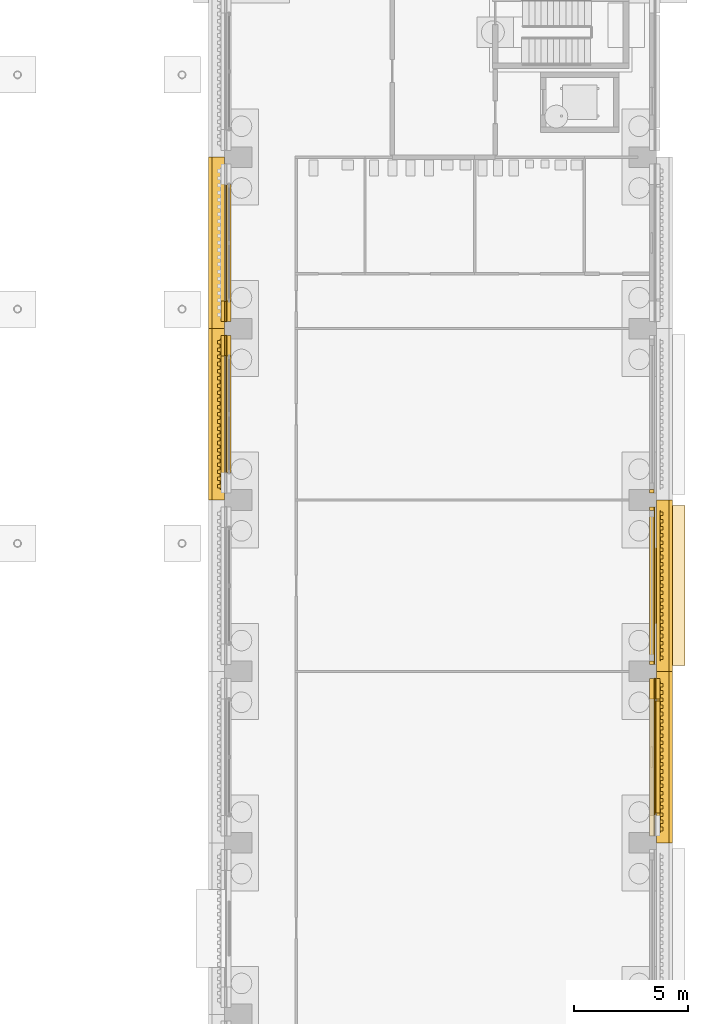
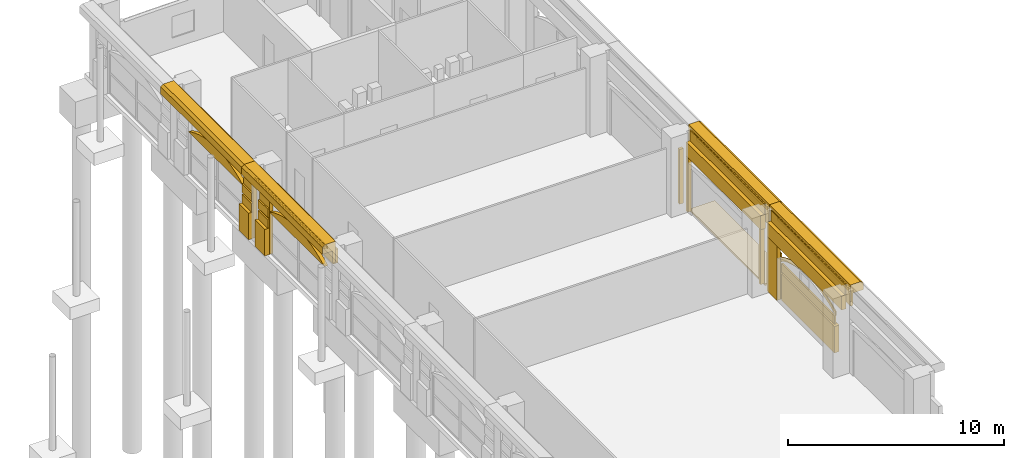
# One storey, part 88 of 99: 32 coverings.
"""IFC4 building model written with IfcOpenShell, lengths in metres."""

from ifc_helpers import new_model, si_unit, direction, frame, origin, place, context, subcontext, project, spatial, polyline, outline, extrude, material, layer, layer_set, type_object, element, save


model = new_model("IFC4")

# Units and contexts
model_context = context("Model", 3, precision=1e-05, world=origin(), true_north=direction((0.0, 1.0)))
body_context = subcontext(model_context, "Body", "Model", "MODEL_VIEW")
ifc_project = project(units=[si_unit("LENGTHUNIT", "METRE"), si_unit("AREAUNIT", "SQUARE_METRE"), si_unit("VOLUMEUNIT", "CUBIC_METRE"), si_unit("PLANEANGLEUNIT", "RADIAN"), si_unit("MASSUNIT", "GRAM", prefix="KILO")], contexts=[model_context])

# Site, building, storey
site_placement = place(None, origin())
site = spatial("IfcSite", under=ifc_project, at=site_placement, CompositionType="ELEMENT")
building_placement = place(site_placement, origin())
building = spatial("IfcBuilding", under=site, at=building_placement, Name="Cour d'Honneur Mobility Palace", CompositionType="ELEMENT")
storey_placement = place(building_placement, origin())
storey = spatial("IfcBuildingStorey", under=building, at=storey_placement, Name="L00", CompositionType="ELEMENT", Elevation=0.0)

# Coverings
ifc_material_1 = material(Name="Cast limestone", Category="masonry")
ifc_layer_1 = layer(ifc_material_1, 0.050048828125)
ifc_layer_set_1 = layer_set([ifc_layer_1], Name="Cast limestone")
covering_type_1 = type_object("IfcCoveringType", Name="Arch hood", PredefinedType="CLADDING", material=ifc_layer_set_1)
covering_1_placement = place(storey_placement, frame((163.0, 78.60009765625, 2.179931640625), z_axis=(1.0, 0.0, 0.0), x_axis=(0.0, 0.893466628376, 0.449129584839)))
element("IfcCovering", 1, at=covering_1_placement, inside=storey, type_object=covering_type_1, Name="Arch hood AH-39", PredefinedType="CLADDING", context=body_context, shape_type="SweptSolid", body=[
    extrude(outline(polyline([(0.0, 0.0), (0.35659251896621735, 0.0), (0.7019994885684498, -0.022795326888668588), (1.0365522012474004, -0.0666397586034293), (1.3614544754480467, -0.13022567619190017), (1.6770364335570624, -0.21235277137119013), (1.9834088964060255, -0.3122569988605455), (2.2812274285521696, -0.4297213972129261), (2.5701654177709066, -0.564308533372167), (2.850768777841922, -0.7160195773922962), (3.122709726486599, -0.8849630099968336), (3.38566048142632, -1.0712473119092998), (3.6398380041081246, -1.2755280476869282), (3.8844770791972314, -1.4982403102778272), (4.119465715808033, -1.740694058742436), (4.343818226996622, -2.004306562810686), (4.556548925819088, -2.2904950922125074), (4.655344276390369, -2.0939586097498237), (4.44272322834545, -1.807551948846934), (4.218261066379314, -1.5441575762797524), (3.983272429768512, -1.3017038278151434), (3.7387430054569535, -1.078773433723176), (3.4844558319976, -0.8747108294466162), (3.221505077057879, -0.68842652753415), (2.949564128413202, -0.5194830949296125), (2.6689607683421865, -0.3677720509094833), (2.3800227791234496, -0.2331849147502425), (2.0822042469773057, -0.11572051639786185), (1.7758317841283424, -0.015816288908506504), (1.4603594767968753, 0.06652893777185187), (1.1353475518186806, 0.12989672385925438), (0.8007948391397299, 0.17374115557401504), (0.45549752031504603, 0.1967546139637521), (0.09879535057128006, 0.19653648246268365), (0.0, 0.0)])), origin(), (0.0, 0.0, -1.0), 0.050048828125),
])
ifc_material_2 = material(Name="Cast limestone", Category="masonry")
ifc_layer_2 = layer(ifc_material_2, 0.199951171875)
ifc_layer_set_2 = layer_set([ifc_layer_2], Name="Cast limestone")
covering_type_2 = type_object("IfcCoveringType", Name="Arch tympanum panel", PredefinedType="CLADDING", material=ifc_layer_set_2)
for number, where, z_axis, x_axis, name in (
    (2, (144.25, 106.199951171875, 2.39990234375), (-1.0, 0.0, 0.0), (0.0, -1.0, 0.0), "Arch tympanum panel TP-2"),
    (3, (144.25, 98.699951171875, 2.39990234375), (-1.0, 0.0, 0.0), (0.0, -1.0, 0.0), "Arch tympanum panel TP-3"),
):
    element("IfcCovering", number, at=place(storey_placement, frame(where, z_axis=z_axis, x_axis=x_axis)), inside=storey, type_object=covering_type_2, Name=name, PredefinedType="CLADDING", context=body_context, shape_type="SweptSolid", body=[
        extrude(outline(polyline([(0.0, 0.0), (5.099853515625, 0.0), (5.099853515625, 0.0), (4.78125, 0.160400390625), (4.46240234375, 0.294921875), (4.143798828125, 0.406005859375), (3.824951171875, 0.495361328125), (3.506103515625, 0.5634765625), (3.1875, 0.61181640625), (2.86865234375, 0.640625), (2.550048828125, 0.650146484375), (2.231201171875, 0.640625), (1.912353515625, 0.61181640625), (1.59375, 0.5634765625), (1.27490234375, 0.495361328125), (0.956298828125, 0.406005859375), (0.637451171875, 0.294921875), (0.318603515625, 0.160400390625), (0.0, 0.0), (0.0, 0.0)])), origin(), (0.0, 0.0, -1.0), 0.199951171875),
    ])
ifc_material_3 = material(Name="Cast limestone", Category="masonry")
ifc_layer_3 = layer(ifc_material_3, 0.14990234375)
ifc_layer_set_3 = layer_set([ifc_layer_3], Name="Cast limestone")
covering_type_3 = type_object("IfcCoveringType", Name="Dentil course", PredefinedType="CLADDING", material=ifc_layer_set_3)
covering_2_placement = place(storey_placement, frame((0.0, 0.0, 3.949951171875)))
element("IfcCovering", 4, at=covering_2_placement, inside=storey, type_object=covering_type_3, Name="Dentil course DC-27", PredefinedType="CLADDING", context=body_context, shape_type="SweptSolid", body=[
    extrude(outline(polyline([(163.199951171875, 77.85009765625), (163.199951171875, 84.449951171875), (163.22998046875, 84.449951171875), (163.22998046875, 84.449951171875), (163.22998046875, 84.371337890625), (163.35009765625, 84.371337890625), (163.35009765625, 84.21435546875), (163.22998046875, 84.21435546875), (163.22998046875, 84.1357421875), (163.22998046875, 84.1357421875), (163.22998046875, 84.05712890625), (163.35009765625, 84.05712890625), (163.35009765625, 83.89990234375), (163.22998046875, 83.89990234375), (163.22998046875, 83.821533203125), (163.22998046875, 83.821533203125), (163.22998046875, 83.742919921875), (163.35009765625, 83.742919921875), (163.35009765625, 83.585693359375), (163.22998046875, 83.585693359375), (163.22998046875, 83.507080078125), (163.22998046875, 83.507080078125), (163.22998046875, 83.428466796875), (163.35009765625, 83.428466796875), (163.35009765625, 83.271484375), (163.22998046875, 83.271484375), (163.22998046875, 83.19287109375), (163.22998046875, 83.19287109375), (163.22998046875, 83.1142578125), (163.35009765625, 83.1142578125), (163.35009765625, 82.95703125), (163.22998046875, 82.95703125), (163.22998046875, 82.878662109375), (163.22998046875, 82.878662109375), (163.22998046875, 82.800048828125), (163.35009765625, 82.800048828125), (163.35009765625, 82.642822265625), (163.22998046875, 82.642822265625), (163.22998046875, 82.564208984375), (163.22998046875, 82.564208984375), (163.22998046875, 82.485595703125), (163.35009765625, 82.485595703125), (163.35009765625, 82.32861328125), (163.22998046875, 82.32861328125), (163.22998046875, 82.25), (163.22998046875, 82.25), (163.22998046875, 82.17138671875), (163.35009765625, 82.17138671875), (163.35009765625, 82.014404296875), (163.22998046875, 82.014404296875), (163.22998046875, 81.935791015625), (163.22998046875, 81.935791015625), (163.22998046875, 81.857177734375), (163.35009765625, 81.857177734375), (163.35009765625, 81.699951171875), (163.22998046875, 81.699951171875), (163.22998046875, 81.621337890625), (163.22998046875, 81.621337890625), (163.22998046875, 81.54296875), (163.35009765625, 81.54296875), (163.35009765625, 81.3857421875), (163.22998046875, 81.3857421875), (163.22998046875, 81.30712890625), (163.22998046875, 81.30712890625), (163.22998046875, 81.228515625), (163.35009765625, 81.228515625), (163.35009765625, 81.071533203125), (163.22998046875, 81.071533203125), (163.22998046875, 80.992919921875), (163.22998046875, 80.992919921875), (163.22998046875, 80.914306640625), (163.35009765625, 80.914306640625), (163.35009765625, 80.757080078125), (163.22998046875, 80.757080078125), (163.22998046875, 80.678466796875), (163.22998046875, 80.678466796875), (163.22998046875, 80.60009765625), (163.35009765625, 80.60009765625), (163.35009765625, 80.44287109375), (163.22998046875, 80.44287109375), (163.22998046875, 80.3642578125), (163.22998046875, 80.3642578125), (163.22998046875, 80.28564453125), (163.35009765625, 80.28564453125), (163.35009765625, 80.128662109375), (163.22998046875, 80.128662109375), (163.22998046875, 80.050048828125), (163.22998046875, 80.050048828125), (163.22998046875, 79.971435546875), (163.35009765625, 79.971435546875), (163.35009765625, 79.814208984375), (163.22998046875, 79.814208984375), (163.22998046875, 79.735595703125), (163.22998046875, 79.735595703125), (163.22998046875, 79.6572265625), (163.35009765625, 79.6572265625), (163.35009765625, 79.5), (163.22998046875, 79.5), (163.22998046875, 79.42138671875), (163.22998046875, 79.42138671875), (163.22998046875, 79.3427734375), (163.35009765625, 79.3427734375), (163.35009765625, 79.185791015625), (163.22998046875, 79.185791015625), (163.22998046875, 79.107177734375), (163.22998046875, 79.107177734375), (163.22998046875, 79.028564453125), (163.35009765625, 79.028564453125), (163.35009765625, 78.871337890625), (163.22998046875, 78.871337890625), (163.22998046875, 78.79296875), (163.22998046875, 78.79296875), (163.22998046875, 78.71435546875), (163.35009765625, 78.71435546875), (163.35009765625, 78.55712890625), (163.22998046875, 78.55712890625), (163.22998046875, 78.478515625), (163.22998046875, 78.478515625), (163.22998046875, 78.39990234375), (163.35009765625, 78.39990234375), (163.35009765625, 78.242919921875), (163.22998046875, 78.242919921875), (163.22998046875, 78.164306640625), (163.22998046875, 78.164306640625), (163.22998046875, 78.085693359375), (163.35009765625, 78.085693359375), (163.35009765625, 77.928466796875), (163.22998046875, 77.928466796875), (163.22998046875, 77.85009765625), (163.199951171875, 77.85009765625)])), origin(), (0.0, 0.0, 1.0), 0.150146484375),
])
covering_3_placement = place(storey_placement, frame((0.0, 0.0, 3.949951171875)))
element("IfcCovering", 5, at=covering_3_placement, inside=storey, type_object=covering_type_3, Name="Dentil course DC-28", PredefinedType="CLADDING", context=body_context, shape_type="SweptSolid", body=[
    extrude(outline(polyline([(163.199951171875, 85.35009765625), (163.199951171875, 91.949951171875), (163.22998046875, 91.949951171875), (163.22998046875, 91.949951171875), (163.22998046875, 91.871337890625), (163.35009765625, 91.871337890625), (163.35009765625, 91.71435546875), (163.22998046875, 91.71435546875), (163.22998046875, 91.6357421875), (163.22998046875, 91.6357421875), (163.22998046875, 91.55712890625), (163.35009765625, 91.55712890625), (163.35009765625, 91.39990234375), (163.22998046875, 91.39990234375), (163.22998046875, 91.321533203125), (163.22998046875, 91.321533203125), (163.22998046875, 91.242919921875), (163.35009765625, 91.242919921875), (163.35009765625, 91.085693359375), (163.22998046875, 91.085693359375), (163.22998046875, 91.007080078125), (163.22998046875, 91.007080078125), (163.22998046875, 90.928466796875), (163.35009765625, 90.928466796875), (163.35009765625, 90.771484375), (163.22998046875, 90.771484375), (163.22998046875, 90.69287109375), (163.22998046875, 90.69287109375), (163.22998046875, 90.6142578125), (163.35009765625, 90.6142578125), (163.35009765625, 90.45703125), (163.22998046875, 90.45703125), (163.22998046875, 90.378662109375), (163.22998046875, 90.378662109375), (163.22998046875, 90.300048828125), (163.35009765625, 90.300048828125), (163.35009765625, 90.142822265625), (163.22998046875, 90.142822265625), (163.22998046875, 90.064208984375), (163.22998046875, 90.064208984375), (163.22998046875, 89.985595703125), (163.35009765625, 89.985595703125), (163.35009765625, 89.82861328125), (163.22998046875, 89.82861328125), (163.22998046875, 89.75), (163.22998046875, 89.75), (163.22998046875, 89.67138671875), (163.35009765625, 89.67138671875), (163.35009765625, 89.514404296875), (163.22998046875, 89.514404296875), (163.22998046875, 89.435791015625), (163.22998046875, 89.435791015625), (163.22998046875, 89.357177734375), (163.35009765625, 89.357177734375), (163.35009765625, 89.199951171875), (163.22998046875, 89.199951171875), (163.22998046875, 89.121337890625), (163.22998046875, 89.121337890625), (163.22998046875, 89.04296875), (163.35009765625, 89.04296875), (163.35009765625, 88.8857421875), (163.22998046875, 88.8857421875), (163.22998046875, 88.80712890625), (163.22998046875, 88.80712890625), (163.22998046875, 88.728515625), (163.35009765625, 88.728515625), (163.35009765625, 88.571533203125), (163.22998046875, 88.571533203125), (163.22998046875, 88.492919921875), (163.22998046875, 88.492919921875), (163.22998046875, 88.414306640625), (163.35009765625, 88.414306640625), (163.35009765625, 88.257080078125), (163.22998046875, 88.257080078125), (163.22998046875, 88.178466796875), (163.22998046875, 88.178466796875), (163.22998046875, 88.10009765625), (163.35009765625, 88.10009765625), (163.35009765625, 87.94287109375), (163.22998046875, 87.94287109375), (163.22998046875, 87.8642578125), (163.22998046875, 87.8642578125), (163.22998046875, 87.78564453125), (163.35009765625, 87.78564453125), (163.35009765625, 87.628662109375), (163.22998046875, 87.628662109375), (163.22998046875, 87.550048828125), (163.22998046875, 87.550048828125), (163.22998046875, 87.471435546875), (163.35009765625, 87.471435546875), (163.35009765625, 87.314208984375), (163.22998046875, 87.314208984375), (163.22998046875, 87.235595703125), (163.22998046875, 87.235595703125), (163.22998046875, 87.1572265625), (163.35009765625, 87.1572265625), (163.35009765625, 87.0), (163.22998046875, 87.0), (163.22998046875, 86.92138671875), (163.22998046875, 86.92138671875), (163.22998046875, 86.8427734375), (163.35009765625, 86.8427734375), (163.35009765625, 86.685791015625), (163.22998046875, 86.685791015625), (163.22998046875, 86.607177734375), (163.22998046875, 86.607177734375), (163.22998046875, 86.528564453125), (163.35009765625, 86.528564453125), (163.35009765625, 86.371337890625), (163.22998046875, 86.371337890625), (163.22998046875, 86.29296875), (163.22998046875, 86.29296875), (163.22998046875, 86.21435546875), (163.35009765625, 86.21435546875), (163.35009765625, 86.05712890625), (163.22998046875, 86.05712890625), (163.22998046875, 85.978515625), (163.22998046875, 85.978515625), (163.22998046875, 85.89990234375), (163.35009765625, 85.89990234375), (163.35009765625, 85.742919921875), (163.22998046875, 85.742919921875), (163.22998046875, 85.664306640625), (163.22998046875, 85.664306640625), (163.22998046875, 85.585693359375), (163.35009765625, 85.585693359375), (163.35009765625, 85.428466796875), (163.22998046875, 85.428466796875), (163.22998046875, 85.35009765625), (163.199951171875, 85.35009765625)])), origin(), (0.0, 0.0, 1.0), 0.150146484375),
])
covering_4_placement = place(storey_placement, frame((0.0, 0.0, 3.949951171875)))
element("IfcCovering", 6, at=covering_4_placement, inside=storey, type_object=covering_type_3, Name="Dentil course DC-33", PredefinedType="CLADDING", context=body_context, shape_type="SweptSolid", body=[
    extrude(outline(polyline([(144.0, 99.449951171875), (144.0, 92.85009765625), (143.969970703125, 92.85009765625), (143.969970703125, 92.85009765625), (143.969970703125, 92.928466796875), (143.85009765625, 92.928466796875), (143.85009765625, 93.085693359375), (143.969970703125, 93.085693359375), (143.969970703125, 93.164306640625), (143.969970703125, 93.164306640625), (143.969970703125, 93.242919921875), (143.85009765625, 93.242919921875), (143.85009765625, 93.39990234375), (143.969970703125, 93.39990234375), (143.969970703125, 93.478515625), (143.969970703125, 93.478515625), (143.969970703125, 93.55712890625), (143.85009765625, 93.55712890625), (143.85009765625, 93.71435546875), (143.969970703125, 93.71435546875), (143.969970703125, 93.79296875), (143.969970703125, 93.79296875), (143.969970703125, 93.871337890625), (143.85009765625, 93.871337890625), (143.85009765625, 94.028564453125), (143.969970703125, 94.028564453125), (143.969970703125, 94.107177734375), (143.969970703125, 94.107177734375), (143.969970703125, 94.185791015625), (143.85009765625, 94.185791015625), (143.85009765625, 94.3427734375), (143.969970703125, 94.3427734375), (143.969970703125, 94.42138671875), (143.969970703125, 94.42138671875), (143.969970703125, 94.5), (143.85009765625, 94.5), (143.85009765625, 94.6572265625), (143.969970703125, 94.6572265625), (143.969970703125, 94.735595703125), (143.969970703125, 94.735595703125), (143.969970703125, 94.814208984375), (143.85009765625, 94.814208984375), (143.85009765625, 94.971435546875), (143.969970703125, 94.971435546875), (143.969970703125, 95.050048828125), (143.969970703125, 95.050048828125), (143.969970703125, 95.128662109375), (143.85009765625, 95.128662109375), (143.85009765625, 95.28564453125), (143.969970703125, 95.28564453125), (143.969970703125, 95.3642578125), (143.969970703125, 95.3642578125), (143.969970703125, 95.44287109375), (143.85009765625, 95.44287109375), (143.85009765625, 95.60009765625), (143.969970703125, 95.60009765625), (143.969970703125, 95.678466796875), (143.969970703125, 95.678466796875), (143.969970703125, 95.757080078125), (143.85009765625, 95.757080078125), (143.85009765625, 95.914306640625), (143.969970703125, 95.914306640625), (143.969970703125, 95.992919921875), (143.969970703125, 95.992919921875), (143.969970703125, 96.071533203125), (143.85009765625, 96.071533203125), (143.85009765625, 96.228515625), (143.969970703125, 96.228515625), (143.969970703125, 96.30712890625), (143.969970703125, 96.30712890625), (143.969970703125, 96.3857421875), (143.85009765625, 96.3857421875), (143.85009765625, 96.54296875), (143.969970703125, 96.54296875), (143.969970703125, 96.621337890625), (143.969970703125, 96.621337890625), (143.969970703125, 96.699951171875), (143.85009765625, 96.699951171875), (143.85009765625, 96.857177734375), (143.969970703125, 96.857177734375), (143.969970703125, 96.935791015625), (143.969970703125, 96.935791015625), (143.969970703125, 97.014404296875), (143.85009765625, 97.014404296875), (143.85009765625, 97.17138671875), (143.969970703125, 97.17138671875), (143.969970703125, 97.25), (143.969970703125, 97.25), (143.969970703125, 97.32861328125), (143.85009765625, 97.32861328125), (143.85009765625, 97.485595703125), (143.969970703125, 97.485595703125), (143.969970703125, 97.564208984375), (143.969970703125, 97.564208984375), (143.969970703125, 97.642822265625), (143.85009765625, 97.642822265625), (143.85009765625, 97.800048828125), (143.969970703125, 97.800048828125), (143.969970703125, 97.878662109375), (143.969970703125, 97.878662109375), (143.969970703125, 97.95703125), (143.85009765625, 97.95703125), (143.85009765625, 98.1142578125), (143.969970703125, 98.1142578125), (143.969970703125, 98.19287109375), (143.969970703125, 98.19287109375), (143.969970703125, 98.271484375), (143.85009765625, 98.271484375), (143.85009765625, 98.428466796875), (143.969970703125, 98.428466796875), (143.969970703125, 98.507080078125), (143.969970703125, 98.507080078125), (143.969970703125, 98.585693359375), (143.85009765625, 98.585693359375), (143.85009765625, 98.742919921875), (143.969970703125, 98.742919921875), (143.969970703125, 98.821533203125), (143.969970703125, 98.821533203125), (143.969970703125, 98.89990234375), (143.85009765625, 98.89990234375), (143.85009765625, 99.05712890625), (143.969970703125, 99.05712890625), (143.969970703125, 99.1357421875), (143.969970703125, 99.1357421875), (143.969970703125, 99.21435546875), (143.85009765625, 99.21435546875), (143.85009765625, 99.371337890625), (143.969970703125, 99.371337890625), (143.969970703125, 99.449951171875), (144.0, 99.449951171875)])), origin(), (0.0, 0.0, 1.0), 0.150146484375),
])
ifc_material_4 = material(Name="Cast limestone", Category="masonry")
ifc_layer_4 = layer(ifc_material_4, 0.699951171875)
ifc_layer_set_4 = layer_set([ifc_layer_4], Name="Cast limestone")
covering_type_4 = type_object("IfcCoveringType", Name="Entablature", PredefinedType="CLADDING", material=ifc_layer_set_4)
for number, where, z_axis, x_axis, name in (
    (7, (163.050048828125, 77.39990234375, 3.39990234375), (0.0, -1.0, 0.0), (1.0, 0.0, 0.0), "Entablature EN-27"),
    (8, (163.050048828125, 84.89990234375, 3.39990234375), (0.0, -1.0, 0.0), (1.0, 0.0, 0.0), "Entablature EN-28"),
):
    element("IfcCovering", number, at=place(storey_placement, frame(where, z_axis=z_axis, x_axis=x_axis)), inside=storey, type_object=covering_type_4, Name=name, PredefinedType="CLADDING", context=body_context, shape_type="SweptSolid", body=[
        extrude(outline(polyline([(0.0, 0.0), (0.14990234375, 0.0), (0.14990234375, 0.7001953125), (0.699951171875, 0.7001953125), (0.699951171875, 1.10009765625), (0.550048828125, 1.2001953125), (0.0, 1.2001953125), (0.0, 0.0)])), origin(), (0.0, 0.0, -1.0), 7.5),
    ])
for number, where, z_axis, x_axis, name in (
    (9, (144.14990234375, 107.39990234375, 3.39990234375), (0.0, 1.0, 0.0), (-1.0, 0.0, 0.0), "Entablature EN-32"),
    (10, (144.14990234375, 99.89990234375, 3.39990234375), (0.0, 1.0, 0.0), (-1.0, 0.0, 0.0), "Entablature EN-33"),
):
    element("IfcCovering", number, at=place(storey_placement, frame(where, z_axis=z_axis, x_axis=x_axis)), inside=storey, type_object=covering_type_4, Name=name, PredefinedType="CLADDING", context=body_context, shape_type="SweptSolid", body=[
        extrude(outline(polyline([(0.0, 0.0), (0.14990234375, 0.0), (0.14990234375, 0.7001953125), (0.699951171875, 0.7001953125), (0.699951171875, 1.10009765625), (0.5498046875, 1.2001953125), (0.0, 1.2001953125), (0.0, 0.0)])), origin(), (0.0, 0.0, -1.0), 7.5),
    ])
ifc_material_5 = material(Name="Granite paving", Category="masonry")
ifc_layer_5 = layer(ifc_material_5, 0.10009765625)
ifc_layer_set_5 = layer_set([ifc_layer_5], Name="Granite paving")
covering_type_5 = type_object("IfcCoveringType", Name="Entrance paving", PredefinedType="FLOORING", material=ifc_layer_set_5)
covering_5_placement = place(storey_placement, frame((0.0, 0.0, -0.10009765625)))
element("IfcCovering", 11, at=covering_5_placement, inside=storey, type_object=covering_type_5, Name="Entrance paving PV-11", PredefinedType="FLOORING", context=body_context, shape_type="SweptSolid", body=[
    extrude(outline(polyline([(162.949951171875, 85.14990234375), (162.949951171875, 92.14990234375), (164.300048828125, 92.14990234375), (164.300048828125, 85.14990234375), (162.949951171875, 85.14990234375)])), origin(), (0.0, 0.0, 1.0), 0.10009765625),
])
ifc_material_6 = material(Name="Cast limestone", Category="masonry")
ifc_layer_6 = layer(ifc_material_6, 0.25)
ifc_layer_set_6 = layer_set([ifc_layer_6], Name="Cast limestone")
covering_type_6 = type_object("IfcCoveringType", Name="Plinth course", PredefinedType="CLADDING", material=ifc_layer_set_6)
covering_6_placement = place(storey_placement, origin())
element("IfcCovering", 12, at=covering_6_placement, inside=storey, type_object=covering_type_6, Name="Plinth course PI-116", PredefinedType="CLADDING", context=body_context, shape_type="SweptSolid", body=[
    extrude(outline(polyline([(162.949951171875, 83.699951171875), (162.949951171875, 84.60009765625), (163.199951171875, 84.60009765625), (163.199951171875, 83.699951171875), (162.949951171875, 83.699951171875)])), origin(), (0.0, 0.0, 1.0), 1.5),
])
covering_7_placement = place(storey_placement, origin())
element("IfcCovering", 13, at=covering_7_placement, inside=storey, type_object=covering_type_6, Name="Plinth course PI-117", PredefinedType="CLADDING", context=body_context, shape_type="SweptSolid", body=[
    extrude(outline(polyline([(162.949951171875, 78.699951171875), (162.949951171875, 83.60009765625), (163.199951171875, 83.60009765625), (163.199951171875, 78.699951171875), (162.949951171875, 78.699951171875)])), origin(), (0.0, 0.0, 1.0), 1.5),
])
covering_8_placement = place(storey_placement, origin())
element("IfcCovering", 14, at=covering_8_placement, inside=storey, type_object=covering_type_6, Name="Plinth course PI-129", PredefinedType="CLADDING", context=body_context, shape_type="SweptSolid", body=[
    extrude(outline(polyline([(144.25, 101.10009765625), (144.25, 100.199951171875), (144.0, 100.199951171875), (144.0, 101.10009765625), (144.25, 101.10009765625)])), origin(), (0.0, 0.0, 1.0), 1.5),
])
covering_9_placement = place(storey_placement, origin())
element("IfcCovering", 15, at=covering_9_placement, inside=storey, type_object=covering_type_6, Name="Plinth course PI-130", PredefinedType="CLADDING", context=body_context, shape_type="SweptSolid", body=[
    extrude(outline(polyline([(144.25, 99.60009765625), (144.25, 98.699951171875), (144.0, 98.699951171875), (144.0, 99.60009765625), (144.25, 99.60009765625)])), origin(), (0.0, 0.0, 1.0), 1.5),
])
ifc_material_7 = material(Name="Cast limestone", Category="masonry")
ifc_layer_7 = layer(ifc_material_7, 0.199951171875)
ifc_layer_set_7 = layer_set([ifc_layer_7], Name="Cast limestone")
covering_type_7 = type_object("IfcCoveringType", Name="Rusticated jamb panel", PredefinedType="CLADDING", material=ifc_layer_set_7)
covering_10_placement = place(storey_placement, frame((162.949951171875, 83.699951171875, 0.0), z_axis=(1.0, 0.0, 0.0), x_axis=(0.0, 1.0, 0.0)))
element("IfcCovering", 16, at=covering_10_placement, inside=storey, type_object=covering_type_7, Name="Rusticated jamb panel RP-87", PredefinedType="CLADDING", context=body_context, shape_type="SweptSolid", body=[
    extrude(outline(polyline([(0.0, 0.0), (0.900146484375, 0.0), (0.900146484375, 3.10009765625), (0.0, 3.10009765625), (0.0, 0.0)])), origin(), (0.0, 0.0, -1.0), 0.199951171875),
])
for number, where, z_axis, x_axis, name in (
    (17, (162.949951171875, 85.199951171875, 0.0), (1.0, 0.0, 0.0), (0.0, 1.0, 0.0), "Rusticated jamb panel RP-88"),
    (18, (162.949951171875, 91.949951171875, 0.0), (1.0, 0.0, 0.0), (0.0, 1.0, 0.0), "Rusticated jamb panel RP-89"),
    (19, (162.949951171875, 92.699951171875, 0.0), (1.0, 0.0, 0.0), (0.0, 1.0, 0.0), "Rusticated jamb panel RP-90"),
):
    element("IfcCovering", number, at=place(storey_placement, frame(where, z_axis=z_axis, x_axis=x_axis)), inside=storey, type_object=covering_type_7, Name=name, PredefinedType="CLADDING", context=body_context, shape_type="SweptSolid", body=[
        extrude(outline(polyline([(0.0, 0.0), (0.150146484375, 0.0), (0.150146484375, 3.10009765625), (0.0, 3.10009765625), (0.0, 0.0)])), origin(), (0.0, 0.0, -1.0), 0.199951171875),
    ])
for number, where, z_axis, x_axis, name in (
    (20, (144.25, 101.10009765625, 0.0), (-1.0, 0.0, 0.0), (0.0, -1.0, 0.0), "Rusticated jamb panel RP-102"),
    (21, (144.25, 99.60009765625, 0.0), (-1.0, 0.0, 0.0), (0.0, -1.0, 0.0), "Rusticated jamb panel RP-103"),
):
    element("IfcCovering", number, at=place(storey_placement, frame(where, z_axis=z_axis, x_axis=x_axis)), inside=storey, type_object=covering_type_7, Name=name, PredefinedType="CLADDING", context=body_context, shape_type="SweptSolid", body=[
        extrude(outline(polyline([(0.0, 0.0), (0.900146484375, 0.0), (0.900146484375, 3.10009765625), (0.0, 3.10009765625), (0.0, 0.0)])), origin(), (0.0, 0.0, -1.0), 0.199951171875),
    ])
ifc_material_8 = material(Name="Cast limestone", Category="masonry")
ifc_layer_8 = layer(ifc_material_8, 0.080078125)
ifc_layer_set_8 = layer_set([ifc_layer_8], Name="Cast limestone")
covering_type_8 = type_object("IfcCoveringType", Name="Rustication course", PredefinedType="CLADDING", material=ifc_layer_set_8)
for number, where, name in (
    (22, (0.0, 0.0, 1.5), "Rustication course RC-193"),
    (23, (0.0, 0.0, 2.10009765625), "Rustication course RC-194"),
):
    element("IfcCovering", number, at=place(storey_placement, frame(where)), inside=storey, type_object=covering_type_8, Name=name, PredefinedType="CLADDING", context=body_context, shape_type="SweptSolid", body=[
        extrude(outline(polyline([(162.949951171875, 83.699951171875), (162.949951171875, 84.60009765625), (163.030029296875, 84.60009765625), (163.030029296875, 83.699951171875), (162.949951171875, 83.699951171875)])), origin(), (0.0, 0.0, 1.0), 0.47998046875),
    ])
covering_11_placement = place(storey_placement, frame((0.0, 0.0, 1.6201171875)))
element("IfcCovering", 24, at=covering_11_placement, inside=storey, type_object=covering_type_8, Name="Rustication course RC-195", PredefinedType="CLADDING", context=body_context, shape_type="SweptSolid", body=[
    extrude(outline(polyline([(162.949951171875, 78.699951171875), (162.949951171875, 83.60009765625), (163.030029296875, 83.60009765625), (163.030029296875, 78.699951171875), (162.949951171875, 78.699951171875)])), origin(), (0.0, 0.0, 1.0), 0.47998046875),
])
for number, where, name in (
    (25, (0.0, 0.0, 1.5), "Rustication course RC-223"),
    (26, (0.0, 0.0, 2.10009765625), "Rustication course RC-224"),
):
    element("IfcCovering", number, at=place(storey_placement, frame(where)), inside=storey, type_object=covering_type_8, Name=name, PredefinedType="CLADDING", context=body_context, shape_type="SweptSolid", body=[
        extrude(outline(polyline([(144.25, 101.10009765625), (144.25, 100.199951171875), (144.169921875, 100.199951171875), (144.169921875, 101.10009765625), (144.25, 101.10009765625)])), origin(), (0.0, 0.0, 1.0), 0.47998046875),
    ])
for number, where, name in (
    (27, (0.0, 0.0, 1.5), "Rustication course RC-225"),
    (28, (0.0, 0.0, 2.10009765625), "Rustication course RC-226"),
):
    element("IfcCovering", number, at=place(storey_placement, frame(where)), inside=storey, type_object=covering_type_8, Name=name, PredefinedType="CLADDING", context=body_context, shape_type="SweptSolid", body=[
        extrude(outline(polyline([(144.25, 99.60009765625), (144.25, 98.699951171875), (144.169921875, 98.699951171875), (144.169921875, 99.60009765625), (144.25, 99.60009765625)])), origin(), (0.0, 0.0, 1.0), 0.47998046875),
    ])
ifc_material_9 = material(Name="Cast limestone", Category="masonry")
ifc_layer_9 = layer(ifc_material_9, 0.25)
ifc_layer_set_9 = layer_set([ifc_layer_9], Name="Cast limestone")
covering_type_9 = type_object("IfcCoveringType", Name="Spandrel cladding", PredefinedType="CLADDING", material=ifc_layer_set_9)
for number, where, z_axis, x_axis, name in (
    (29, (162.75, 77.699951171875, 3.10009765625), (0.0, -1.0, 0.0), (1.0, 0.0, 0.0), "Spandrel cladding SK-27"),
    (30, (162.75, 85.199951171875, 3.10009765625), (0.0, -1.0, 0.0), (1.0, 0.0, 0.0), "Spandrel cladding SK-28"),
    (31, (144.449951171875, 107.10009765625, 3.10009765625), (0.0, 1.0, 0.0), (-1.0, 0.0, 0.0), "Spandrel cladding SK-32"),
    (32, (144.449951171875, 99.60009765625, 3.10009765625), (0.0, 1.0, 0.0), (-1.0, 0.0, 0.0), "Spandrel cladding SK-33"),
):
    element("IfcCovering", number, at=place(storey_placement, frame(where, z_axis=z_axis, x_axis=x_axis)), inside=storey, type_object=covering_type_9, Name=name, PredefinedType="CLADDING", context=body_context, shape_type="SweptSolid", body=[
        extrude(outline(polyline([(0.0, 0.0), (0.25, 0.0), (0.25, 1.39990234375), (0.199951171875, 1.39990234375), (0.199951171875, 0.7998046875), (0.0, 0.7998046875), (0.0, 0.0)])), origin(), (0.0, 0.0, -1.0), 6.89990234375),
    ])

save(model, "model.ifc")
